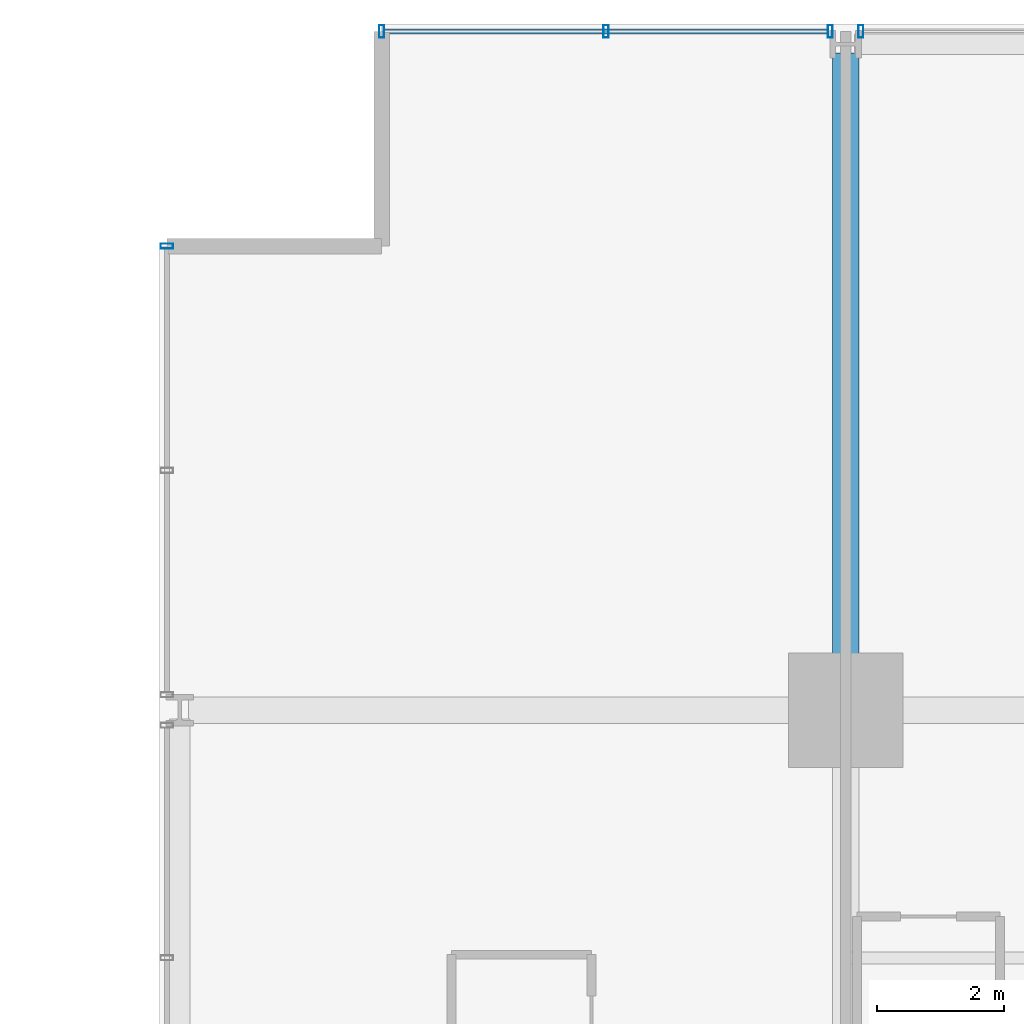
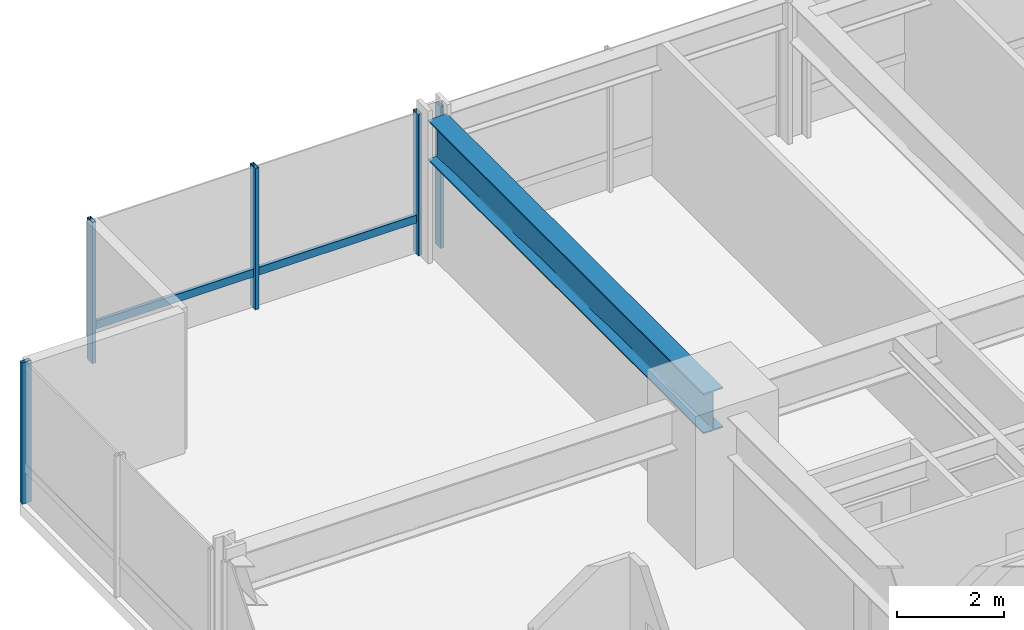
# One storey, part 21 of 39: 6 members, 1 beam, 3 elements without a shape of their own.
"""IFC4 building model written with IfcOpenShell, lengths in metres."""

from ifc_helpers import new_model, si_unit, direction, frame, origin, origin_2d, place, context, subcontext, project, spatial, hollow_rectangle, i_section, extrude, material, layer, layer_set, material_profile, profile_set, type_object, element, aggregate, save


model = new_model("IFC4")

# Units and contexts
model_context = context("Model", 3, precision=1e-05, world=origin(), true_north=direction((0.0, 1.0)))
body_context = subcontext(model_context, "Body", "Model", "MODEL_VIEW")
ifc_project = project(units=[si_unit("LENGTHUNIT", "METRE"), si_unit("AREAUNIT", "SQUARE_METRE"), si_unit("VOLUMEUNIT", "CUBIC_METRE"), si_unit("PLANEANGLEUNIT", "RADIAN"), si_unit("MASSUNIT", "GRAM", prefix="KILO")], contexts=[model_context])

# Site, building, storey
site_placement = place(None, origin())
site = spatial("IfcSite", under=ifc_project, at=site_placement, CompositionType="ELEMENT")
building_placement = place(site_placement, origin())
building = spatial("IfcBuilding", under=site, at=building_placement, Name="Drelvath Grand Hotel", CompositionType="ELEMENT")
storey_placement = place(building_placement, frame((0.0, 0.0, 40.199951171875)))
storey = spatial("IfcBuildingStorey", under=building, at=storey_placement, Name="L08", CompositionType="ELEMENT", Elevation=40.199951171875)

# Curtain wall, member
ifc_material_1 = material(Name="Warm Bronze Anodised Aluminium Frame", Category="aluminium")
ifc_layer = layer(ifc_material_1, 0.199951171875)
ifc_layer_set = layer_set([ifc_layer], Name="Warm Bronze Anodised Aluminium Frame")
curtain_wall_type = type_object("IfcCurtainWallType", Name="Stick Curtain Wall CW-02 Warm Bronze Low-Rise", PredefinedType="NOTDEFINED", material=ifc_layer_set)
curtain_wall_1_placement = place(storey_placement, origin())
curtain_wall_1 = element("IfcCurtainWall", 1, at=curtain_wall_1_placement, inside=storey, type_object=curtain_wall_type, Name="L08 CW-02 Curtain Wall CW02-L08-NW1", PredefinedType="NOTDEFINED")
ifc_material_profile_1 = material_profile(ifc_material_1, hollow_rectangle(XDim=0.074951171875, YDim=0.179931640625, WallThickness=0.0048828125, at=origin_2d()), Name="HSS180X75X5")
ifc_profile_set_1 = profile_set([ifc_material_profile_1], Name="Warm Bronze Anodised Aluminium Frame")
member_type_1 = type_object("IfcMemberType", Name="Curtain Wall Horizontal Transom CW-02 HSS180X75X5", PredefinedType="USERDEFINED", material=ifc_profile_set_1)
member_1_placement = place(storey_placement, frame((-23.4599609375, 53.8798828125, 0.81005859375), z_axis=(1.0, 0.0, 0.0), x_axis=(0.0, 1.0, 0.0)))
member_1 = element("IfcMember", 2, at=member_1_placement, type_object=member_type_1, Name="CW02-L08-NW1 Sill Transom", ObjectType="TRANSOM", PredefinedType="USERDEFINED", context=body_context, shape_type="SweptSolid", body=[
    extrude(hollow_rectangle(XDim=0.074951171875, YDim=0.179931640625, WallThickness=0.0048828125, at=origin_2d()), origin(), (0.0, 0.0, 1.0), 6.97900390625),
])

curtain_wall_2_placement = place(storey_placement, origin())
curtain_wall_2 = element("IfcCurtainWall", 3, at=curtain_wall_2_placement, inside=storey, type_object=curtain_wall_type, Name="L08 CW-02 Curtain Wall CW02-L08-WN3", PredefinedType="NOTDEFINED")
ifc_material_profile_2 = material_profile(ifc_material_1, hollow_rectangle(XDim=0.080078125, YDim=0.199951171875, WallThickness=0.0048828125, at=origin_2d()), Name="HSS200X80X5")
ifc_profile_set_2 = profile_set([ifc_material_profile_2], Name="Warm Bronze Anodised Aluminium Frame")
member_type_2 = type_object("IfcMemberType", Name="Curtain Wall Vertical Mullion CW-02 HSS200X80X5", PredefinedType="MULLION", material=ifc_profile_set_2)
member_2_placement = place(storey_placement, frame((-26.8798828125, 50.5, 0.0), z_axis=(0.0, 0.0, 1.0), x_axis=(0.0, 1.0, 0.0)))
member_2 = element("IfcMember", 4, at=member_2_placement, type_object=member_type_2, Name="CW02-L08-WN3 Mullion 3", PredefinedType="MULLION", context=body_context, shape_type="SweptSolid", body=[
    extrude(hollow_rectangle(XDim=0.080078125, YDim=0.199951171875, WallThickness=0.0048828125, at=origin_2d()), origin(), (0.0, 0.0, 1.0), 3.239990234375),
])
aggregate(curtain_wall_2, [member_2])

# Member
member_3_placement = place(storey_placement, frame((-23.5, 53.8798828125, 0.0), z_axis=(0.0, 0.0, 1.0), x_axis=(1.0, 0.0, 0.0)))
member_3 = element("IfcMember", 5, at=member_3_placement, type_object=member_type_2, Name="CW02-L08-NW1 Mullion 1", PredefinedType="MULLION", context=body_context, shape_type="SweptSolid", body=[
    extrude(hollow_rectangle(XDim=0.080078125, YDim=0.199951171875, WallThickness=0.0048828125, at=origin_2d()), origin(), (0.0, 0.0, 1.0), 3.239990234375),
])

member_4_placement = place(storey_placement, frame((-19.970458984375, 53.8798828125, 0.0), z_axis=(0.0, 0.0, 1.0), x_axis=(1.0, 0.0, 0.0)))
member_4 = element("IfcMember", 6, at=member_4_placement, type_object=member_type_2, Name="CW02-L08-NW1 Mullion 2", PredefinedType="MULLION", context=body_context, shape_type="SweptSolid", body=[
    extrude(hollow_rectangle(XDim=0.080078125, YDim=0.199951171875, WallThickness=0.0048828125, at=origin_2d()), origin(), (0.0, 0.0, 1.0), 3.239990234375),
])

member_5_placement = place(storey_placement, frame((-16.44091796875, 53.8798828125, 0.0), z_axis=(0.0, 0.0, 1.0), x_axis=(1.0, 0.0, 0.0)))
member_5 = element("IfcMember", 7, at=member_5_placement, type_object=member_type_2, Name="CW02-L08-NW1 Mullion 3", PredefinedType="MULLION", context=body_context, shape_type="SweptSolid", body=[
    extrude(hollow_rectangle(XDim=0.080078125, YDim=0.199951171875, WallThickness=0.0048828125, at=origin_2d()), origin(), (0.0, 0.0, 1.0), 3.239990234375),
])

aggregate(curtain_wall_1, [member_3, member_4, member_5, member_1])

# Curtain wall, member
curtain_wall_3_placement = place(storey_placement, origin())
curtain_wall_3 = element("IfcCurtainWall", 8, at=curtain_wall_3_placement, inside=storey, type_object=curtain_wall_type, Name="L08 CW-02 Curtain Wall CW02-L08-NW2", PredefinedType="NOTDEFINED")
member_6_placement = place(storey_placement, frame((-15.958984375, 53.8798828125, 0.0), z_axis=(0.0, 0.0, 1.0), x_axis=(1.0, 0.0, 0.0)))
member_6 = element("IfcMember", 9, at=member_6_placement, type_object=member_type_2, Name="CW02-L08-NW2 Mullion 1", PredefinedType="MULLION", context=body_context, shape_type="SweptSolid", body=[
    extrude(hollow_rectangle(XDim=0.080078125, YDim=0.199951171875, WallThickness=0.0048828125, at=origin_2d()), origin(), (0.0, 0.0, 1.0), 3.239990234375),
])
aggregate(curtain_wall_3, [member_6])

# Beam
ifc_material_2 = material(Name="Steel ASTM A992 Gr 50", Category="steel")
ifc_material_profile_3 = material_profile(ifc_material_2, i_section(OverallWidth=0.418212890625, OverallDepth=0.926513671875, WebThickness=0.019287109375, FlangeThickness=0.031982421875, FilletRadius=0.028076171875, at=origin_2d()), Name="W36X231")
ifc_profile_set_3 = profile_set([ifc_material_profile_3], Name="Steel ASTM A992 Gr 50")
beam_type = type_object("IfcBeamType", Name="Primary Floor Girder W36X231", PredefinedType="BEAM", material=ifc_profile_set_3)
beam_placement = place(storey_placement, frame((-16.199951171875, 43.199951171875, 2.77685546875), z_axis=(0.0, 1.0, 0.0), x_axis=(-1.0, 0.0, 0.0)))
element("IfcBeam", 10, at=beam_placement, inside=storey, type_object=beam_type, Name="L08 North Grid Girder 3", PredefinedType="BEAM", context=body_context, shape_type="SweptSolid", body=[
    extrude(i_section(OverallWidth=0.418212890625, OverallDepth=0.926513671875, WebThickness=0.019287109375, FlangeThickness=0.031982421875, FilletRadius=0.028076171875, at=origin_2d()), origin(), (0.0, 0.0, 1.0), 10.340087890625),
])

save(model, "model.ifc")
